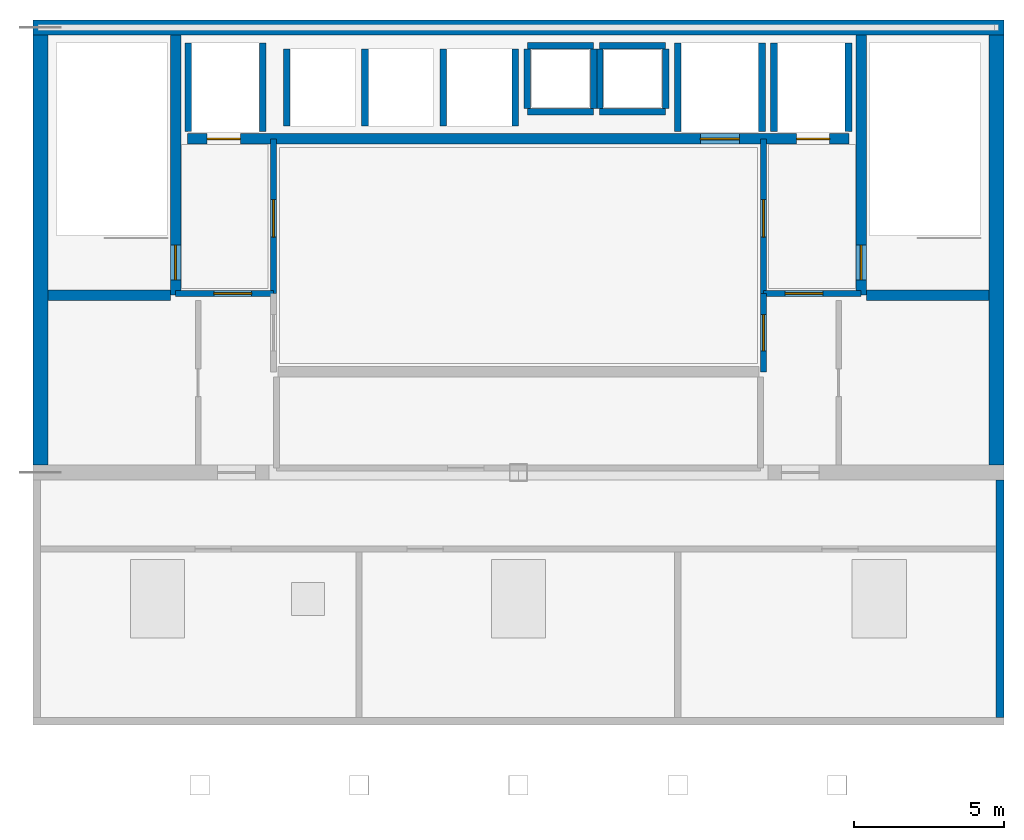
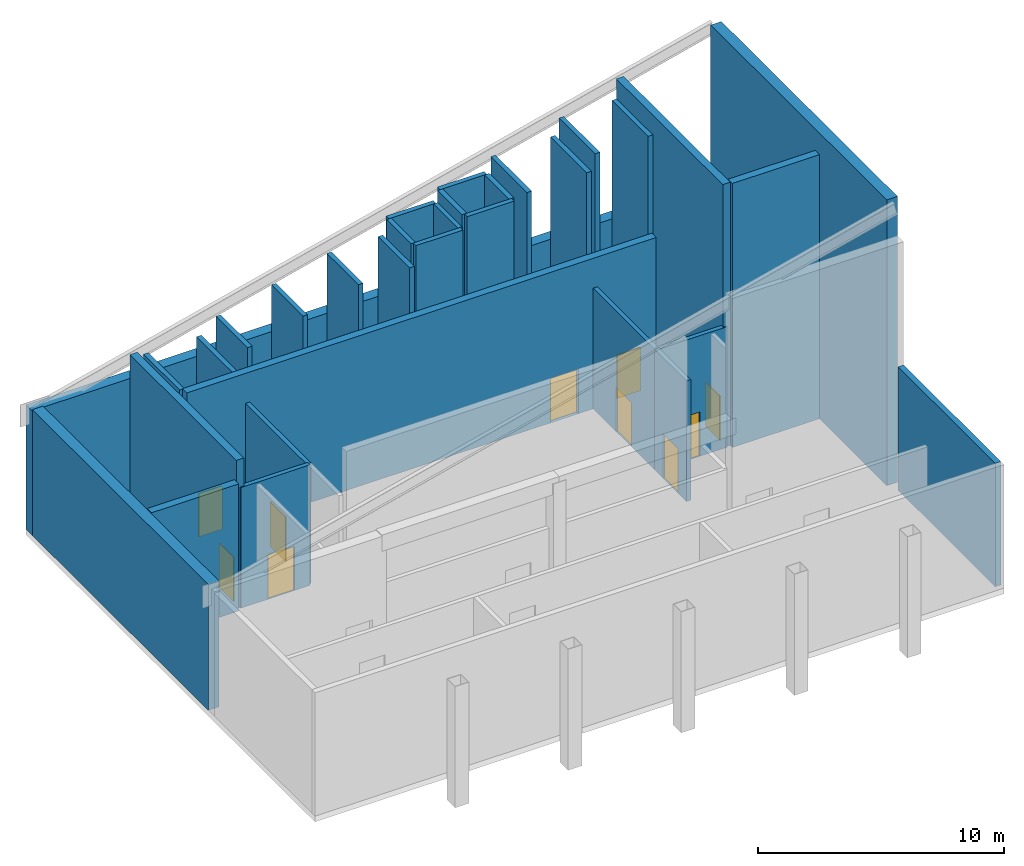
# One storey, part 2 of 3: 32 walls, 10 doors, 10 openings.
"""IFC4 building model written with IfcOpenShell, lengths in metres."""

from ifc_helpers import new_model, si_unit, direction, frame, frame_2d, origin, place, context, subcontext, project, spatial, rectangle, extrude, material, layer, layer_set, type_object, element, fill, save


model = new_model("IFC4")

# Units and contexts
model_context = context("Model", 3, precision=1e-05, world=origin(), true_north=direction((0.0, 1.0)))
body_context = subcontext(model_context, "Body", "Model", "MODEL_VIEW")
ifc_project = project(units=[si_unit("LENGTHUNIT", "METRE"), si_unit("AREAUNIT", "SQUARE_METRE"), si_unit("VOLUMEUNIT", "CUBIC_METRE"), si_unit("PLANEANGLEUNIT", "RADIAN"), si_unit("MASSUNIT", "GRAM", prefix="KILO")], contexts=[model_context])

# Site, building, storey
site_placement = place(None, origin())
site = spatial("IfcSite", under=ifc_project, at=site_placement, CompositionType="ELEMENT")
building_placement = place(site_placement, origin())
building = spatial("IfcBuilding", under=site, at=building_placement, Name="Qianlan Lanfeng Residences", CompositionType="ELEMENT")
storey_placement = place(building_placement, frame((0.0, 0.0, 270.800048828125)))
storey = spatial("IfcBuildingStorey", under=building, at=storey_placement, Name="L75", CompositionType="ELEMENT", Elevation=270.800048828125)

# Walls
ifc_material_1 = material(Name="Concrete C49", Category="concrete")
ifc_layer_1 = layer(ifc_material_1, 0.5)
ifc_layer_set_1 = layer_set([ifc_layer_1], Name="Concrete C49")
wall_type_1 = type_object("IfcWallType", Name="CW-EXT-500", PredefinedType="SHEAR", material=ifc_layer_set_1)
wall_1_placement = place(storey_placement, frame((10.35009765625, 40.0, 0.0), z_axis=(0.0, 0.0, 1.0), x_axis=(1.0, 0.0, 0.0)))
element("IfcWall", 1, at=wall_1_placement, inside=storey, type_object=wall_type_1, Name="L75 Core Shear Wall N", PredefinedType="SHEAR", context=body_context, shape_type="SweptSolid", body=[
    extrude(rectangle(XDim=32.2998046875, YDim=0.5, at=frame_2d((16.14990234375, 0.0))), origin(), (0.0, 0.0, 1.0), 6.177001953125),
])
wall_2_placement = place(storey_placement, frame((10.60009765625, 25.449951171875, 0.0), z_axis=(0.0, 0.0, 1.0), x_axis=(0.0, 1.0, 0.0)))
element("IfcWall", 2, at=wall_2_placement, inside=storey, type_object=wall_type_1, Name="L75 Core Shear Wall W", PredefinedType="SHEAR", context=body_context, shape_type="SweptSolid", body=[
    extrude(rectangle(XDim=14.300048828125, YDim=0.5, at=frame_2d((7.14990234375, 0.0))), origin(), (0.0, 0.0, 1.0), 6.2392578125),
])
wall_3_placement = place(storey_placement, frame((42.39990234375, 25.449951171875, 0.0), z_axis=(0.0, 0.0, 1.0), x_axis=(0.0, 1.0, 0.0)))
element("IfcWall", 3, at=wall_3_placement, inside=storey, type_object=wall_type_1, Name="L75 Core Shear Wall E", PredefinedType="SHEAR", context=body_context, shape_type="SweptSolid", body=[
    extrude(rectangle(XDim=14.300048828125, YDim=0.5, at=frame_2d((7.14990234375, 0.0))), origin(), (0.0, 0.0, 1.0), 14.16796875),
])

# Wall, opening, door
ifc_layer_2 = layer(ifc_material_1, 0.35009765625)
ifc_layer_set_2 = layer_set([ifc_layer_2], Name="Concrete C49")
wall_type_2 = type_object("IfcWallType", Name="CW-RC-350", PredefinedType="SHEAR", material=ifc_layer_set_2)
wall_4_placement = place(storey_placement, frame((15.10009765625, 31.10009765625, 0.0), z_axis=(0.0, 0.0, 1.0), x_axis=(0.0, 1.0, 0.0)))
wall_4 = element("IfcWall", 4, at=wall_4_placement, inside=storey, type_object=wall_type_2, Name="L75 Core Shear Wall ST1E", PredefinedType="SHEAR", context=body_context, shape_type="SweptSolid", body=[
    extrude(rectangle(XDim=8.64990234375, YDim=0.35009765625, at=frame_2d((4.324951171875, 0.0))), origin(), (0.0, 0.0, 1.0), 7.361328125),
])
opening_1_placement = place(wall_4_placement, frame((0.510009765625, 0.0, 0.0)))
opening_1 = element("IfcOpeningElement", 5, at=opening_1_placement, cuts=wall_4, Name="Opening L75-D07", PredefinedType="OPENING", context=body_context, shape_type="SweptSolid", body=[
    extrude(rectangle(XDim=1.14990234375, YDim=2.199951171875, at=frame_2d((0.574951171875, 1.10009765625))), frame((0.0, 0.18505859375, 0.0), z_axis=(0.0, -1.0, 0.0), x_axis=(1.0, 0.0, 0.0)), (0.0, 0.0, 1.0), 0.3701171875),
])
ifc_material_2 = material(Name="Painted Galvanised Steel Fire Door", Category="steel")
door_type_1 = type_object("IfcDoorType", Name="DT-ST1", OperationType="NOTDEFINED", PredefinedType="DOOR", material=ifc_material_2)
door_1_placement = place(opening_1_placement, frame((1.14990234375, 0.0, 0.0), z_axis=(0.0, 0.0, 1.0), x_axis=(-1.0, 0.0, 0.0)))
door_1 = element("IfcDoor", 6, at=door_1_placement, inside=storey, type_object=door_type_1, Name="L75 Exit Stair ST-1 Door L75-D07 (DT-ST1)", OperationType="SINGLE_SWING_RIGHT", OverallHeight=2.199951171875, OverallWidth=1.14990234375, PredefinedType="DOOR", context=body_context, shape_type="SweptSolid", body=[
    extrude(rectangle(XDim=1.14990234375, YDim=2.199951171875, at=frame_2d((0.574951171875, 1.10009765625))), frame((0.0, 0.02490234375, 0.0), z_axis=(0.0, -1.0, 0.0), x_axis=(1.0, 0.0, 0.0)), (0.0, 0.0, 1.0), 0.050048828125),
])
fill(opening_1, door_1)

# Wall
wall_5_placement = place(storey_placement, frame((10.85009765625, 31.10009765625, 0.0), z_axis=(0.0, 0.0, 1.0), x_axis=(1.0, 0.0, 0.0)))
element("IfcWall", 7, at=wall_5_placement, inside=storey, type_object=wall_type_2, Name="L75 Core Shear Wall ST1S", PredefinedType="SHEAR", context=body_context, shape_type="SweptSolid", body=[
    extrude(rectangle(XDim=4.074951171875, YDim=0.35009765625, at=frame_2d((2.03759765625, 0.0))), origin(), (0.0, 0.0, 1.0), 6.3017578125),
])

# Wall, opening, door
wall_6_placement = place(storey_placement, frame((37.89990234375, 31.10009765625, 0.0), z_axis=(0.0, 0.0, 1.0), x_axis=(0.0, 1.0, 0.0)))
wall_6 = element("IfcWall", 8, at=wall_6_placement, inside=storey, type_object=wall_type_2, Name="L75 Core Shear Wall ST2W", PredefinedType="SHEAR", context=body_context, shape_type="SweptSolid", body=[
    extrude(rectangle(XDim=8.64990234375, YDim=0.35009765625, at=frame_2d((4.324951171875, 0.0))), origin(), (0.0, 0.0, 1.0), 13.0458984375),
])
opening_2_placement = place(wall_6_placement, frame((0.510009765625, 0.0, 0.0)))
opening_2 = element("IfcOpeningElement", 9, at=opening_2_placement, cuts=wall_6, Name="Opening L75-D08", PredefinedType="OPENING", context=body_context, shape_type="SweptSolid", body=[
    extrude(rectangle(XDim=1.14990234375, YDim=2.199951171875, at=frame_2d((0.574951171875, 1.10009765625))), frame((0.0, 0.18505859375, 0.0), z_axis=(0.0, -1.0, 0.0), x_axis=(1.0, 0.0, 0.0)), (0.0, 0.0, 1.0), 0.3701171875),
])
door_2_placement = place(opening_2_placement, origin())
door_2 = element("IfcDoor", 10, at=door_2_placement, inside=storey, type_object=door_type_1, Name="L75 Exit Stair ST-2 Door L75-D08 (DT-ST1)", OperationType="SINGLE_SWING_RIGHT", OverallHeight=2.199951171875, OverallWidth=1.14990234375, PredefinedType="DOOR", context=body_context, shape_type="SweptSolid", body=[
    extrude(rectangle(XDim=1.14990234375, YDim=2.199951171875, at=frame_2d((0.574951171875, 1.10009765625))), frame((0.0, 0.02490234375, 0.0), z_axis=(0.0, -1.0, 0.0), x_axis=(1.0, 0.0, 0.0)), (0.0, 0.0, 1.0), 0.050048828125),
])
fill(opening_2, door_2)

# Wall
wall_7_placement = place(storey_placement, frame((38.074951171875, 31.10009765625, 0.0), z_axis=(0.0, 0.0, 1.0), x_axis=(1.0, 0.0, 0.0)))
element("IfcWall", 11, at=wall_7_placement, inside=storey, type_object=wall_type_2, Name="L75 Core Shear Wall ST2S", PredefinedType="SHEAR", context=body_context, shape_type="SweptSolid", body=[
    extrude(rectangle(XDim=4.074951171875, YDim=0.35009765625, at=frame_2d((2.03759765625, 0.0))), origin(), (0.0, 0.0, 1.0), 13.089599609375),
])

# Wall, openings, doors
wall_8_placement = place(storey_placement, frame((15.5, 36.300048828125, 0.0), z_axis=(0.0, 0.0, 1.0), x_axis=(1.0, 0.0, 0.0)))
wall_8 = element("IfcWall", 12, at=wall_8_placement, inside=storey, type_object=wall_type_2, Name="L75 Core Shear Wall LBN", PredefinedType="SHEAR", context=body_context, shape_type="SweptSolid", body=[
    extrude(rectangle(XDim=22.0, YDim=0.35009765625, at=frame_2d((11.0, 0.0))), origin(), (0.0, 0.0, 1.0), 7.4609375),
])
opening_3_placement = place(wall_8_placement, frame((0.64990234375, 0.0, 0.0)))
opening_3 = element("IfcOpeningElement", 13, at=opening_3_placement, cuts=wall_8, Name="Opening L75-LD-FFL-1", PredefinedType="OPENING", context=body_context, shape_type="SweptSolid", body=[
    extrude(rectangle(XDim=1.10009765625, YDim=2.14990234375, at=frame_2d((0.550048828125, 1.074951171875))), frame((0.0, 0.18505859375, 0.0), z_axis=(0.0, -1.0, 0.0), x_axis=(1.0, 0.0, 0.0)), (0.0, 0.0, 1.0), 0.3701171875),
])
opening_4_placement = place(wall_8_placement, frame((20.25, 0.0, 0.0)))
opening_4 = element("IfcOpeningElement", 14, at=opening_4_placement, cuts=wall_8, Name="Opening L75-LD-FFL-2", PredefinedType="OPENING", context=body_context, shape_type="SweptSolid", body=[
    extrude(rectangle(XDim=1.10009765625, YDim=2.14990234375, at=frame_2d((0.550048828125, 1.074951171875))), frame((0.0, 0.18505859375, 0.0), z_axis=(0.0, -1.0, 0.0), x_axis=(1.0, 0.0, 0.0)), (0.0, 0.0, 1.0), 0.3701171875),
])
opening_5_placement = place(wall_8_placement, frame((17.050048828125, 0.0, 0.0)))
opening_5 = element("IfcOpeningElement", 15, at=opening_5_placement, cuts=wall_8, Name="Opening L75-LD-SVL-1", PredefinedType="OPENING", context=body_context, shape_type="SweptSolid", body=[
    extrude(rectangle(XDim=1.300048828125, YDim=2.199951171875, at=frame_2d((0.64990234375, 1.10009765625))), frame((0.0, 0.18505859375, 0.0), z_axis=(0.0, -1.0, 0.0), x_axis=(1.0, 0.0, 0.0)), (0.0, 0.0, 1.0), 0.3701171875),
])
ifc_material_3 = material(Name="Brushed Stainless Steel Sliding Lift Door", Category="steel")
door_type_2 = type_object("IfcDoorType", Name="LD-01", OperationType="NOTDEFINED", PredefinedType="DOOR", material=ifc_material_3)
door_3_placement = place(opening_3_placement, frame((1.10009765625, 0.0, 0.0), z_axis=(0.0, 0.0, 1.0), x_axis=(-1.0, 0.0, 0.0)))
door_3 = element("IfcDoor", 16, at=door_3_placement, inside=storey, type_object=door_type_2, Name="L75 Elevator FFL-1 Sliding Landing Door", OperationType="DOUBLE_DOOR_SLIDING", OverallHeight=2.14990234375, OverallWidth=1.10009765625, PredefinedType="DOOR", context=body_context, shape_type="SweptSolid", body=[
    extrude(rectangle(XDim=1.10009765625, YDim=2.14990234375, at=frame_2d((0.550048828125, 1.074951171875))), frame((0.0, 0.02490234375, 0.0), z_axis=(0.0, -1.0, 0.0), x_axis=(1.0, 0.0, 0.0)), (0.0, 0.0, 1.0), 0.050048828125),
])
fill(opening_3, door_3)
door_4_placement = place(opening_4_placement, frame((1.10009765625, 0.0, 0.0), z_axis=(0.0, 0.0, 1.0), x_axis=(-1.0, 0.0, 0.0)))
door_4 = element("IfcDoor", 17, at=door_4_placement, inside=storey, type_object=door_type_2, Name="L75 Elevator FFL-2 Sliding Landing Door", OperationType="DOUBLE_DOOR_SLIDING", OverallHeight=2.14990234375, OverallWidth=1.10009765625, PredefinedType="DOOR", context=body_context, shape_type="SweptSolid", body=[
    extrude(rectangle(XDim=1.10009765625, YDim=2.14990234375, at=frame_2d((0.550048828125, 1.074951171875))), frame((0.0, 0.02490234375, 0.0), z_axis=(0.0, -1.0, 0.0), x_axis=(1.0, 0.0, 0.0)), (0.0, 0.0, 1.0), 0.050048828125),
])
fill(opening_4, door_4)
door_type_3 = type_object("IfcDoorType", Name="LD-02", OperationType="NOTDEFINED", PredefinedType="DOOR", material=ifc_material_3)
door_5_placement = place(opening_5_placement, frame((1.300048828125, 0.0, 0.0), z_axis=(0.0, 0.0, 1.0), x_axis=(-1.0, 0.0, 0.0)))
door_5 = element("IfcDoor", 18, at=door_5_placement, inside=storey, type_object=door_type_3, Name="L75 Elevator SVL-1 Sliding Landing Door", OperationType="DOUBLE_DOOR_SLIDING", OverallHeight=2.199951171875, OverallWidth=1.300048828125, PredefinedType="DOOR", context=body_context, shape_type="SweptSolid", body=[
    extrude(rectangle(XDim=1.300048828125, YDim=2.199951171875, at=frame_2d((0.64990234375, 1.10009765625))), frame((0.0, 0.02490234375, 0.0), z_axis=(0.0, -1.0, 0.0), x_axis=(1.0, 0.0, 0.0)), (0.0, 0.0, 1.0), 0.050048828125),
])
fill(opening_5, door_5)

# Wall
ifc_material_4 = material(Name="Concrete C42", Category="concrete")
ifc_layer_3 = layer(ifc_material_4, 0.260009765625)
ifc_layer_set_3 = layer_set([ifc_layer_3], Name="Concrete C42")
wall_type_3 = type_object("IfcWallType", Name="EW-260", PredefinedType="SOLIDWALL", material=ifc_layer_set_3)
wall_9_placement = place(storey_placement, frame((42.52001953125, 17.06005859375, 0.0), z_axis=(0.0, 0.0, 1.0), x_axis=(0.0, 1.0, 0.0)))
element("IfcWall", 19, at=wall_9_placement, inside=storey, type_object=wall_type_3, Name="L75 Crown Plant East Enclosure Wall", PredefinedType="SOLIDWALL", context=body_context, shape_type="SweptSolid", body=[
    extrude(rectangle(XDim=7.889892578125, YDim=0.260009765625, at=frame_2d((3.94482421875, 0.0))), origin(), (0.0, 0.0, 1.0), 6.1162109375),
])

# Wall, opening, door
ifc_material_5 = material(Name="Autoclaved Aerated Concrete Blockwork 200 mm", Category="masonry")
ifc_layer_4 = layer(ifc_material_5, 0.199951171875)
ifc_layer_set_4 = layer_set([ifc_layer_4], Name="Autoclaved Aerated Concrete Blockwork 200 mm")
wall_type_4 = type_object("IfcWallType", Name="PW-200", PredefinedType="PARTITIONING", material=ifc_layer_set_4)
wall_10_placement = place(storey_placement, frame((15.10009765625, 31.14990234375, 0.0), z_axis=(0.0, 0.0, 1.0), x_axis=(1.0, 0.0, 0.0)))
wall_10 = element("IfcWall", 20, at=wall_10_placement, inside=storey, type_object=wall_type_4, Name="L75 Firefighting Lobby 1 South Wall", PredefinedType="PARTITIONING", context=body_context, shape_type="SweptSolid", body=[
    extrude(rectangle(XDim=3.25, YDim=0.199951171875, at=frame_2d((1.625, 0.0))), origin(), (0.0, 0.0, 1.0), 5.97998046875),
])
opening_6_placement = place(wall_10_placement, frame((1.27490234375, 0.0, 0.0)))
opening_6 = element("IfcOpeningElement", 21, at=opening_6_placement, cuts=wall_10, Name="Opening L75-D03", PredefinedType="OPENING", context=body_context, shape_type="SweptSolid", body=[
    extrude(rectangle(XDim=1.25, YDim=2.199951171875, at=frame_2d((0.625, 1.10009765625))), frame((0.0, 0.10986328125, 0.0), z_axis=(0.0, -1.0, 0.0), x_axis=(1.0, 0.0, 0.0)), (0.0, 0.0, 1.0), 0.219970703125),
])
door_type_4 = type_object("IfcDoorType", Name="DT-FFL", OperationType="NOTDEFINED", PredefinedType="DOOR", material=ifc_material_2)
door_6_placement = place(opening_6_placement, origin())
door_6 = element("IfcDoor", 22, at=door_6_placement, inside=storey, type_object=door_type_4, Name="L75 Firefighting Lobby 1 Entry Door L75-D03 (DT-FFL)", OperationType="SINGLE_SWING_LEFT", OverallHeight=2.199951171875, OverallWidth=1.25, PredefinedType="DOOR", context=body_context, shape_type="SweptSolid", body=[
    extrude(rectangle(XDim=1.25, YDim=2.199951171875, at=frame_2d((0.625, 1.10009765625))), frame((0.0, 0.02490234375, 0.0), z_axis=(0.0, -1.0, 0.0), x_axis=(1.0, 0.0, 0.0)), (0.0, 0.0, 1.0), 0.050048828125),
])
fill(opening_6, door_6)

wall_11_placement = place(storey_placement, frame((18.35009765625, 31.14990234375, 0.0), z_axis=(0.0, 0.0, 1.0), x_axis=(0.0, 1.0, 0.0)))
wall_11 = element("IfcWall", 23, at=wall_11_placement, inside=storey, type_object=wall_type_4, Name="L75 Firefighting Lobby 1 East Wall", PredefinedType="PARTITIONING", context=body_context, shape_type="SweptSolid", body=[
    extrude(rectangle(XDim=5.150146484375, YDim=0.199951171875, at=frame_2d((2.5751953125, 0.0))), origin(), (0.0, 0.0, 1.0), 5.97998046875),
])
opening_7_placement = place(wall_11_placement, frame((1.875, 0.0, 0.0)))
opening_7 = element("IfcOpeningElement", 24, at=opening_7_placement, cuts=wall_11, Name="Opening L75-D04", PredefinedType="OPENING", context=body_context, shape_type="SweptSolid", body=[
    extrude(rectangle(XDim=1.25, YDim=2.199951171875, at=frame_2d((0.625, 1.10009765625))), frame((0.0, 0.10986328125, 0.0), z_axis=(0.0, -1.0, 0.0), x_axis=(1.0, 0.0, 0.0)), (0.0, 0.0, 1.0), 0.219970703125),
])
door_7_placement = place(opening_7_placement, origin())
door_7 = element("IfcDoor", 25, at=door_7_placement, inside=storey, type_object=door_type_4, Name="L75 Firefighting Lobby 1 Lift Lobby Door L75-D04 (DT-FFL)", OperationType="SINGLE_SWING_LEFT", OverallHeight=2.199951171875, OverallWidth=1.25, PredefinedType="DOOR", context=body_context, shape_type="SweptSolid", body=[
    extrude(rectangle(XDim=1.25, YDim=2.199951171875, at=frame_2d((0.625, 1.10009765625))), frame((0.0, 0.02490234375, 0.0), z_axis=(0.0, -1.0, 0.0), x_axis=(1.0, 0.0, 0.0)), (0.0, 0.0, 1.0), 0.050048828125),
])
fill(opening_7, door_7)

wall_12_placement = place(storey_placement, frame((34.64990234375, 31.14990234375, 0.0), z_axis=(0.0, 0.0, 1.0), x_axis=(1.0, 0.0, 0.0)))
wall_12 = element("IfcWall", 26, at=wall_12_placement, inside=storey, type_object=wall_type_4, Name="L75 Firefighting Lobby 2 South Wall", PredefinedType="PARTITIONING", context=body_context, shape_type="SweptSolid", body=[
    extrude(rectangle(XDim=3.25, YDim=0.199951171875, at=frame_2d((1.625, 0.0))), origin(), (0.0, 0.0, 1.0), 5.97998046875),
])
opening_8_placement = place(wall_12_placement, frame((0.72509765625, 0.0, 0.0)))
opening_8 = element("IfcOpeningElement", 27, at=opening_8_placement, cuts=wall_12, Name="Opening L75-D05", PredefinedType="OPENING", context=body_context, shape_type="SweptSolid", body=[
    extrude(rectangle(XDim=1.25, YDim=2.199951171875, at=frame_2d((0.625, 1.10009765625))), frame((0.0, 0.10986328125, 0.0), z_axis=(0.0, -1.0, 0.0), x_axis=(1.0, 0.0, 0.0)), (0.0, 0.0, 1.0), 0.219970703125),
])
door_8_placement = place(opening_8_placement, origin())
door_8 = element("IfcDoor", 28, at=door_8_placement, inside=storey, type_object=door_type_4, Name="L75 Firefighting Lobby 2 Entry Door L75-D05 (DT-FFL)", OperationType="SINGLE_SWING_RIGHT", OverallHeight=2.199951171875, OverallWidth=1.25, PredefinedType="DOOR", context=body_context, shape_type="SweptSolid", body=[
    extrude(rectangle(XDim=1.25, YDim=2.199951171875, at=frame_2d((0.625, 1.10009765625))), frame((0.0, 0.02490234375, 0.0), z_axis=(0.0, -1.0, 0.0), x_axis=(1.0, 0.0, 0.0)), (0.0, 0.0, 1.0), 0.050048828125),
])
fill(opening_8, door_8)

wall_13_placement = place(storey_placement, frame((34.64990234375, 31.14990234375, 0.0), z_axis=(0.0, 0.0, 1.0), x_axis=(0.0, 1.0, 0.0)))
wall_13 = element("IfcWall", 29, at=wall_13_placement, inside=storey, type_object=wall_type_4, Name="L75 Firefighting Lobby 2 West Wall", PredefinedType="PARTITIONING", context=body_context, shape_type="SweptSolid", body=[
    extrude(rectangle(XDim=5.150146484375, YDim=0.199951171875, at=frame_2d((2.5751953125, 0.0))), origin(), (0.0, 0.0, 1.0), 5.97998046875),
])
opening_9_placement = place(wall_13_placement, frame((1.875, 0.0, 0.0)))
opening_9 = element("IfcOpeningElement", 30, at=opening_9_placement, cuts=wall_13, Name="Opening L75-D06", PredefinedType="OPENING", context=body_context, shape_type="SweptSolid", body=[
    extrude(rectangle(XDim=1.25, YDim=2.199951171875, at=frame_2d((0.625, 1.10009765625))), frame((0.0, 0.10986328125, 0.0), z_axis=(0.0, -1.0, 0.0), x_axis=(1.0, 0.0, 0.0)), (0.0, 0.0, 1.0), 0.219970703125),
])
door_9_placement = place(opening_9_placement, origin())
door_9 = element("IfcDoor", 31, at=door_9_placement, inside=storey, type_object=door_type_4, Name="L75 Firefighting Lobby 2 Lift Lobby Door L75-D06 (DT-FFL)", OperationType="SINGLE_SWING_LEFT", OverallHeight=2.199951171875, OverallWidth=1.25, PredefinedType="DOOR", context=body_context, shape_type="SweptSolid", body=[
    extrude(rectangle(XDim=1.25, YDim=2.199951171875, at=frame_2d((0.625, 1.10009765625))), frame((0.0, 0.02490234375, 0.0), z_axis=(0.0, -1.0, 0.0), x_axis=(1.0, 0.0, 0.0)), (0.0, 0.0, 1.0), 0.050048828125),
])
fill(opening_9, door_9)

wall_14_placement = place(storey_placement, frame((34.64990234375, 28.550048828125, 0.0), z_axis=(0.0, 0.0, 1.0), x_axis=(0.0, 1.0, 0.0)))
wall_14 = element("IfcWall", 32, at=wall_14_placement, inside=storey, type_object=wall_type_4, Name="L75 Lift Lobby East Connector Wall", PredefinedType="PARTITIONING", context=body_context, shape_type="SweptSolid", body=[
    extrude(rectangle(XDim=2.599853515625, YDim=0.199951171875, at=frame_2d((1.2998046875, 0.0))), origin(), (0.0, 0.0, 1.0), 5.97998046875),
])
opening_10_placement = place(wall_14_placement, frame((0.699951171875, 0.0, 0.0)))
opening_10 = element("IfcOpeningElement", 33, at=opening_10_placement, cuts=wall_14, Name="Opening L75-D12", PredefinedType="OPENING", context=body_context, shape_type="SweptSolid", body=[
    extrude(rectangle(XDim=1.199951171875, YDim=2.199951171875, at=frame_2d((0.60009765625, 1.10009765625))), frame((0.0, 0.10986328125, 0.0), z_axis=(0.0, -1.0, 0.0), x_axis=(1.0, 0.0, 0.0)), (0.0, 0.0, 1.0), 0.219970703125),
])
ifc_material_6 = material(Name="Painted Galvanised Steel Plant Door", Category="steel")
door_type_5 = type_object("IfcDoorType", Name="DT-PLT", OperationType="NOTDEFINED", PredefinedType="DOOR", material=ifc_material_6)
door_10_placement = place(opening_10_placement, frame((1.199951171875, 0.0, 0.0), z_axis=(0.0, 0.0, 1.0), x_axis=(-1.0, 0.0, 0.0)))
door_10 = element("IfcDoor", 34, at=door_10_placement, inside=storey, type_object=door_type_5, Name="L75 Elevator Machine Room East Door L75-D12 (DT-PLT)", OperationType="SINGLE_SWING_LEFT", OverallHeight=2.199951171875, OverallWidth=1.199951171875, PredefinedType="DOOR", context=body_context, shape_type="SweptSolid", body=[
    extrude(rectangle(XDim=1.199951171875, YDim=2.199951171875, at=frame_2d((0.60009765625, 1.10009765625))), frame((0.0, 0.02490234375, 0.0), z_axis=(0.0, -1.0, 0.0), x_axis=(1.0, 0.0, 0.0)), (0.0, 0.0, 1.0), 0.050048828125),
])
fill(opening_10, door_10)

# Walls
ifc_layer_5 = layer(ifc_material_1, 0.219970703125)
ifc_layer_set_5 = layer_set([ifc_layer_5], Name="Concrete C49")
wall_type_5 = type_object("IfcWallType", Name="SHW-220", PredefinedType="SOLIDWALL", material=ifc_layer_set_5)
for number, where, z_axis, x_axis, name in (
    (35, (15.52001953125, 36.550048828125, 0.0), (0.0, 0.0, 1.0), (0.0, 1.0, 0.0), "L75 Lift FFL-1 Shaft Wall W"),
    (36, (18.0, 36.550048828125, 0.0), (0.0, 0.0, 1.0), (0.0, 1.0, 0.0), "L75 Lift FFL-1 Shaft Wall E"),
):
    element("IfcWall", number, at=place(storey_placement, frame(where, z_axis=z_axis, x_axis=x_axis)), inside=storey, type_object=wall_type_5, Name=name, PredefinedType="SOLIDWALL", context=body_context, shape_type="SweptSolid", body=[
        extrude(rectangle(XDim=2.929931640625, YDim=0.219970703125, at=frame_2d((1.46484375, 0.0))), origin(), (0.0, 0.0, 1.0), 7.375244140625),
    ])
for number, where, z_axis, x_axis, name in (
    (37, (35.0, 36.550048828125, 0.0), (0.0, 0.0, 1.0), (0.0, 1.0, 0.0), "L75 Lift FFL-2 Shaft Wall W"),
    (38, (37.47998046875, 36.550048828125, 0.0), (0.0, 0.0, 1.0), (0.0, 1.0, 0.0), "L75 Lift FFL-2 Shaft Wall E"),
):
    element("IfcWall", number, at=place(storey_placement, frame(where, z_axis=z_axis, x_axis=x_axis)), inside=storey, type_object=wall_type_5, Name=name, PredefinedType="SOLIDWALL", context=body_context, shape_type="SweptSolid", body=[
        extrude(rectangle(XDim=2.929931640625, YDim=0.219970703125, at=frame_2d((1.46484375, 0.0))), origin(), (0.0, 0.0, 1.0), 12.26220703125),
    ])
for number, where, z_axis, x_axis, name in (
    (39, (31.800048828125, 36.550048828125, 0.0), (0.0, 0.0, 1.0), (0.0, 1.0, 0.0), "L75 Lift SVL-1 Shaft Wall W"),
    (40, (34.60009765625, 36.550048828125, 0.0), (0.0, 0.0, 1.0), (0.0, 1.0, 0.0), "L75 Lift SVL-1 Shaft Wall E"),
):
    element("IfcWall", number, at=place(storey_placement, frame(where, z_axis=z_axis, x_axis=x_axis)), inside=storey, type_object=wall_type_5, Name=name, PredefinedType="SOLIDWALL", context=body_context, shape_type="SweptSolid", body=[
        extrude(rectangle(XDim=2.929931640625, YDim=0.219970703125, at=frame_2d((1.46484375, 0.0))), origin(), (0.0, 0.0, 1.0), 11.46435546875),
    ])
wall_15_placement = place(storey_placement, frame((18.800048828125, 36.719970703125, 0.0), z_axis=(0.0, 0.0, 1.0), x_axis=(0.0, 1.0, 0.0)))
element("IfcWall", 41, at=wall_15_placement, inside=storey, type_object=wall_type_5, Name="L75 Lift PL-H1 Shaft Wall W", PredefinedType="SOLIDWALL", context=body_context, shape_type="SweptSolid", body=[
    extrude(rectangle(XDim=2.56005859375, YDim=0.219970703125, at=frame_2d((1.280029296875, 0.0))), origin(), (0.0, 0.0, 1.0), 8.22314453125),
])
wall_16_placement = place(storey_placement, frame((21.39990234375, 36.719970703125, 0.0), z_axis=(0.0, 0.0, 1.0), x_axis=(0.0, 1.0, 0.0)))
element("IfcWall", 42, at=wall_16_placement, inside=storey, type_object=wall_type_5, Name="L75 Lift PL-H2 Shaft Wall W", PredefinedType="SOLIDWALL", context=body_context, shape_type="SweptSolid", body=[
    extrude(rectangle(XDim=2.56005859375, YDim=0.219970703125, at=frame_2d((1.280029296875, 0.0))), origin(), (0.0, 0.0, 1.0), 8.871337890625),
])
for number, where, z_axis, x_axis, name in (
    (43, (24.0, 36.719970703125, 0.0), (0.0, 0.0, 1.0), (0.0, 1.0, 0.0), "L75 Lift PL-H3 Shaft Wall W"),
    (44, (26.39990234375, 36.719970703125, 0.0), (0.0, 0.0, 1.0), (0.0, 1.0, 0.0), "L75 Lift PL-H3 Shaft Wall E"),
):
    element("IfcWall", number, at=place(storey_placement, frame(where, z_axis=z_axis, x_axis=x_axis)), inside=storey, type_object=wall_type_5, Name=name, PredefinedType="SOLIDWALL", context=body_context, shape_type="SweptSolid", body=[
        extrude(rectangle(XDim=2.56005859375, YDim=0.219970703125, at=frame_2d((1.280029296875, 0.0))), origin(), (0.0, 0.0, 1.0), 9.51953125),
    ])
for number, where, z_axis, x_axis, name in (
    (45, (26.800048828125, 37.31005859375, 0.0), (0.0, 0.0, 1.0), (0.0, 1.0, 0.0), "L75 MEP Riser MEP-R1 Shaft Wall W"),
    (46, (29.0, 37.31005859375, 0.0), (0.0, 0.0, 1.0), (0.0, 1.0, 0.0), "L75 MEP Riser MEP-R1 Shaft Wall E"),
):
    element("IfcWall", number, at=place(storey_placement, frame(where, z_axis=z_axis, x_axis=x_axis)), inside=storey, type_object=wall_type_5, Name=name, PredefinedType="SOLIDWALL", context=body_context, shape_type="SweptSolid", body=[
        extrude(rectangle(XDim=1.97998046875, YDim=0.219970703125, at=frame_2d((0.989990234375, 0.0))), origin(), (0.0, 0.0, 1.0), 10.217529296875),
    ])
for number, where, z_axis, x_axis, name in (
    (47, (26.800048828125, 39.39990234375, 0.0), (0.0, 0.0, 1.0), (1.0, 0.0, 0.0), "L75 MEP Riser MEP-R1 Shaft Wall N"),
    (48, (26.800048828125, 37.199951171875, 0.0), (0.0, 0.0, 1.0), (1.0, 0.0, 0.0), "L75 MEP Riser MEP-R1 Shaft Wall S"),
):
    element("IfcWall", number, at=place(storey_placement, frame(where, z_axis=z_axis, x_axis=x_axis)), inside=storey, type_object=wall_type_5, Name=name, PredefinedType="SOLIDWALL", context=body_context, shape_type="SweptSolid", body=[
        extrude(rectangle(XDim=2.199951171875, YDim=0.219970703125, at=frame_2d((1.10009765625, 0.0))), origin(), (0.0, 0.0, 1.0), 10.217529296875),
    ])
for number, where, z_axis, x_axis, name in (
    (49, (29.199951171875, 37.31005859375, 0.0), (0.0, 0.0, 1.0), (0.0, 1.0, 0.0), "L75 MEP Riser MEP-R2 Shaft Wall W"),
    (50, (31.39990234375, 37.31005859375, 0.0), (0.0, 0.0, 1.0), (0.0, 1.0, 0.0), "L75 MEP Riser MEP-R2 Shaft Wall E"),
):
    element("IfcWall", number, at=place(storey_placement, frame(where, z_axis=z_axis, x_axis=x_axis)), inside=storey, type_object=wall_type_5, Name=name, PredefinedType="SOLIDWALL", context=body_context, shape_type="SweptSolid", body=[
        extrude(rectangle(XDim=1.97998046875, YDim=0.219970703125, at=frame_2d((0.989990234375, 0.0))), origin(), (0.0, 0.0, 1.0), 10.816162109375),
    ])
for number, where, z_axis, x_axis, name in (
    (51, (29.199951171875, 39.39990234375, 0.0), (0.0, 0.0, 1.0), (1.0, 0.0, 0.0), "L75 MEP Riser MEP-R2 Shaft Wall N"),
    (52, (29.199951171875, 37.199951171875, 0.0), (0.0, 0.0, 1.0), (1.0, 0.0, 0.0), "L75 MEP Riser MEP-R2 Shaft Wall S"),
):
    element("IfcWall", number, at=place(storey_placement, frame(where, z_axis=z_axis, x_axis=x_axis)), inside=storey, type_object=wall_type_5, Name=name, PredefinedType="SOLIDWALL", context=body_context, shape_type="SweptSolid", body=[
        extrude(rectangle(XDim=2.199951171875, YDim=0.219970703125, at=frame_2d((1.10009765625, 0.0))), origin(), (0.0, 0.0, 1.0), 10.816162109375),
    ])

save(model, "model.ifc")
